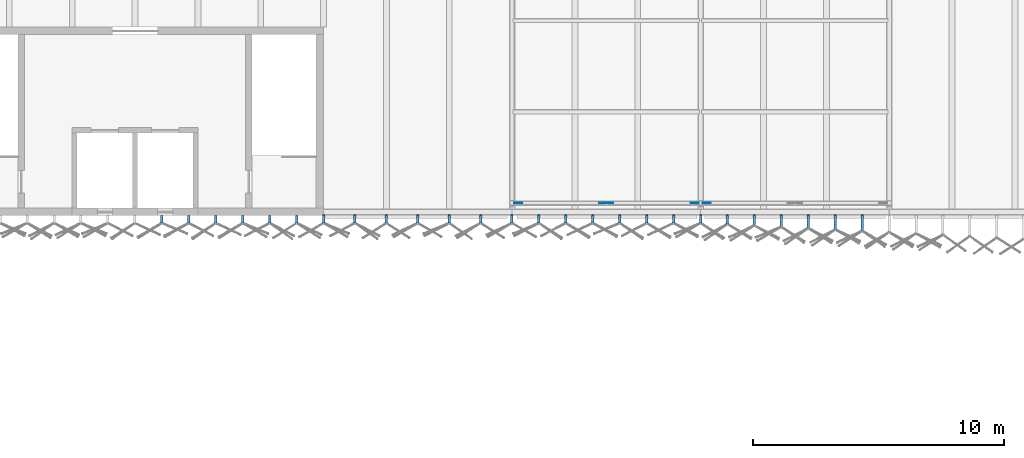
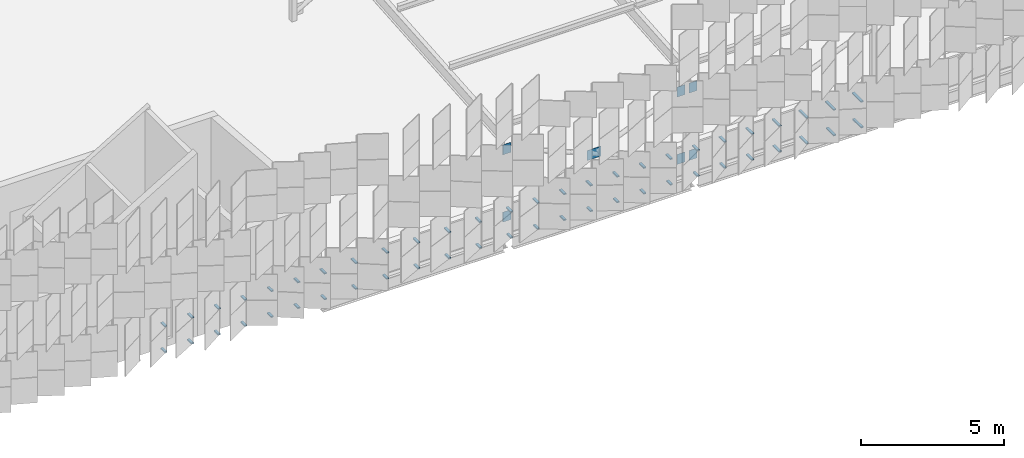
# One storey, part 446 of 483: 59 discrete accessories.
"""IFC4 building model written with IfcOpenShell, lengths in metres."""

from ifc_helpers import new_model, si_unit, direction, frame, origin, origin_2d, place, context, subcontext, project, spatial, polyline, rectangle, outline, extrude, material, layer, layer_set, type_object, element, save


model = new_model("IFC4")

# Units and contexts
model_context = context("Model", 3, precision=1e-05, world=origin(), true_north=direction((0.0, 1.0)))
body_context = subcontext(model_context, "Body", "Model", "MODEL_VIEW")
ifc_project = project(units=[si_unit("LENGTHUNIT", "METRE"), si_unit("AREAUNIT", "SQUARE_METRE"), si_unit("VOLUMEUNIT", "CUBIC_METRE"), si_unit("PLANEANGLEUNIT", "RADIAN"), si_unit("MASSUNIT", "GRAM", prefix="KILO")], contexts=[model_context])

# Site, building, storey
site_placement = place(None, origin())
site = spatial("IfcSite", under=ifc_project, at=site_placement, CompositionType="ELEMENT")
building_placement = place(site_placement, origin())
building = spatial("IfcBuilding", under=site, at=building_placement, Name="Parallax Yard Mobility Hub", CompositionType="ELEMENT")
storey_placement = place(building_placement, frame((0.0, 0.0, 13.199951171875)))
storey = spatial("IfcBuildingStorey", under=building, at=storey_placement, Name="L04", CompositionType="ELEMENT", Elevation=13.199951171875)

# Discrete accessories
ifc_material_1 = material(Name="Steel ASTM A36", Category="steel")
ifc_layer = layer(ifc_material_1, 0.011962890625)
ifc_layer_set = layer_set([ifc_layer], Name="Gusset plate PL12")
discrete_accessory_type_1 = type_object("IfcDiscreteAccessoryType", Name="Gusset plate PL12", PredefinedType="BRACKET", material=ifc_layer_set)
discrete_accessory_1_placement = place(storey_placement, frame((0.0, 0.0, 0.150146484375)))
element("IfcDiscreteAccessory", 1, at=discrete_accessory_1_placement, inside=storey, type_object=discrete_accessory_type_1, Name="Gusset plate PL12 RA bay N-C bay 1 foot on post N-C1", PredefinedType="BRACKET", context=body_context, shape_type="SweptSolid", body=[
    extrude(outline(polyline([(150.08154296875, 112.993896484375), (150.401611328125, 112.993896484375), (150.401611328125, 113.006103515625), (150.08154296875, 113.006103515625), (150.08154296875, 112.993896484375)])), origin(), (0.0, 0.0, 1.0), 0.42236328125),
])
for number, where, name in (
    (2, (0.0, 0.0, 3.017578125), "Gusset plate PL12 RA bay N-C bay 1 head on post N-C2"),
    (3, (0.0, 0.0, 0.150146484375), "Gusset plate PL12 RA bay N-C bay 1 foot on post N-C2"),
):
    element("IfcDiscreteAccessory", number, at=place(storey_placement, frame(where)), inside=storey, type_object=discrete_accessory_type_1, Name=name, PredefinedType="BRACKET", context=body_context, shape_type="SweptSolid", body=[
        extrude(outline(polyline([(157.41845703125, 113.006103515625), (157.098388671875, 113.006103515625), (157.098388671875, 112.993896484375), (157.41845703125, 112.993896484375), (157.41845703125, 113.006103515625)])), origin(), (0.0, 0.0, 1.0), 0.42236328125),
    ])
discrete_accessory_2_placement = place(storey_placement, frame((0.0, 0.0, 3.017578125)))
element("IfcDiscreteAccessory", 4, at=discrete_accessory_2_placement, inside=storey, type_object=discrete_accessory_type_1, Name="Gusset plate PL12 RA bay N-C bay 1 head on post N-C1", PredefinedType="BRACKET", context=body_context, shape_type="SweptSolid", body=[
    extrude(outline(polyline([(150.08154296875, 112.993896484375), (150.401611328125, 112.993896484375), (150.401611328125, 113.006103515625), (150.08154296875, 113.006103515625), (150.08154296875, 112.993896484375)])), origin(), (0.0, 0.0, 1.0), 0.42236328125),
])
discrete_accessory_3_placement = place(storey_placement, frame((0.0, 0.0, 1.5849609375)))
element("IfcDiscreteAccessory", 5, at=discrete_accessory_3_placement, inside=storey, type_object=discrete_accessory_type_1, Name="Gusset plate PL12 RA bay N-C bay 1 crossing node", PredefinedType="BRACKET", context=body_context, shape_type="SweptSolid", body=[
    extrude(outline(polyline([(153.469970703125, 112.993896484375), (154.030029296875, 112.993896484375), (154.030029296875, 113.006103515625), (153.469970703125, 113.006103515625), (153.469970703125, 112.993896484375)])), origin(), (0.0, 0.0, 1.0), 0.420166015625),
])
for number, where, name in (
    (6, (0.0, 0.0, 0.150146484375), "Gusset plate PL12 RA bay N-C bay 2 foot on post N-C2"),
    (7, (0.0, 0.0, 3.017578125), "Gusset plate PL12 RA bay N-C bay 2 head on post N-C2"),
):
    element("IfcDiscreteAccessory", number, at=place(storey_placement, frame(where)), inside=storey, type_object=discrete_accessory_type_1, Name=name, PredefinedType="BRACKET", context=body_context, shape_type="SweptSolid", body=[
        extrude(outline(polyline([(157.58154296875, 112.993896484375), (157.901611328125, 112.993896484375), (157.901611328125, 113.006103515625), (157.58154296875, 113.006103515625), (157.58154296875, 112.993896484375)])), origin(), (0.0, 0.0, 1.0), 0.42236328125),
    ])
ifc_material_2 = material(Name="Steel ASTM A36, hot-dip galvanised", Category="steel")
discrete_accessory_type_2 = type_object("IfcDiscreteAccessoryType", Name="Hinge bracket plate 100x50", PredefinedType="BRACKET", material=ifc_material_2)
for number, where, z_axis, x_axis, name in (
    (8, (136.064697265625, 112.3583984375, -0.02490234375), (0.0, 0.0, 1.0), (0.0, -1.0, 0.0), "Hinge bracket plate bay 13.9 level L04"),
    (9, (136.064697265625, 112.3583984375, 1.06982421875), (0.0, 0.0, 1.0), (0.0, -1.0, 0.0), "Hinge bracket plate bay 13.9 level L04"),
    (10, (137.136962890625, 112.3583984375, -0.02490234375), (0.0, 0.0, 1.0), (0.0, -1.0, 0.0), "Hinge bracket plate bay 13.10 level L04"),
    (11, (137.136962890625, 112.3583984375, 1.06982421875), (0.0, 0.0, 1.0), (0.0, -1.0, 0.0), "Hinge bracket plate bay 13.10 level L04"),
    (12, (138.209228515625, 112.3583984375, -0.02490234375), (0.0, 0.0, 1.0), (0.0, -1.0, 0.0), "Hinge bracket plate bay 13.11 level L04"),
    (13, (138.209228515625, 112.3583984375, 1.06982421875), (0.0, 0.0, 1.0), (0.0, -1.0, 0.0), "Hinge bracket plate bay 13.11 level L04"),
    (14, (139.281494140625, 112.3583984375, -0.02490234375), (0.0, 0.0, 1.0), (0.0, -1.0, 0.0), "Hinge bracket plate bay 13.12 level L04"),
    (15, (139.281494140625, 112.3583984375, 1.06982421875), (0.0, 0.0, 1.0), (0.0, -1.0, 0.0), "Hinge bracket plate bay 13.12 level L04"),
    (16, (140.353515625, 112.3583984375, -0.02490234375), (0.0, 0.0, 1.0), (0.0, -1.0, 0.0), "Hinge bracket plate bay 13.13 level L04"),
    (17, (140.353515625, 112.3583984375, 1.06982421875), (0.0, 0.0, 1.0), (0.0, -1.0, 0.0), "Hinge bracket plate bay 13.13 level L04"),
    (18, (141.42578125, 112.3583984375, -0.02490234375), (0.0, 0.0, 1.0), (0.0, -1.0, 0.0), "Hinge bracket plate bay 13.14 level L04"),
    (19, (141.42578125, 112.3583984375, 1.06982421875), (0.0, 0.0, 1.0), (0.0, -1.0, 0.0), "Hinge bracket plate bay 13.14 level L04"),
    (20, (142.498046875, 112.3583984375, -0.02490234375), (0.0, 0.0, 1.0), (0.0, -1.0, 0.0), "Hinge bracket plate bay 14.1 level L04"),
):
    element("IfcDiscreteAccessory", number, at=place(storey_placement, frame(where, z_axis=z_axis, x_axis=x_axis)), inside=storey, type_object=discrete_accessory_type_2, Name=name, PredefinedType="BRACKET", context=body_context, shape_type="SweptSolid", body=[
        extrude(rectangle(XDim=0.2841796875, YDim=0.10009765625, at=origin_2d()), origin(), (0.0, 0.0, 1.0), 0.050048828125),
    ])
discrete_accessory_4_placement = place(storey_placement, frame((142.498046875, 112.38134765625, 1.06982421875), z_axis=(0.0, 0.0, 1.0), x_axis=(0.0, -1.0, 0.0)))
element("IfcDiscreteAccessory", 21, at=discrete_accessory_4_placement, inside=storey, type_object=discrete_accessory_type_2, Name="Hinge bracket plate bay 14.1 level L04", PredefinedType="BRACKET", context=body_context, shape_type="SweptSolid", body=[
    extrude(rectangle(XDim=0.330078125, YDim=0.10009765625, at=origin_2d()), origin(), (0.0, 0.0, 1.0), 0.050048828125),
])
discrete_accessory_5_placement = place(storey_placement, frame((143.747314453125, 112.3583984375, -0.02490234375), z_axis=(0.0, 0.0, 1.0), x_axis=(0.0, -1.0, 0.0)))
element("IfcDiscreteAccessory", 22, at=discrete_accessory_5_placement, inside=storey, type_object=discrete_accessory_type_2, Name="Hinge bracket plate bay 14.2 level L04", PredefinedType="BRACKET", context=body_context, shape_type="SweptSolid", body=[
    extrude(rectangle(XDim=0.2841796875, YDim=0.10009765625, at=origin_2d()), origin(), (0.0, 0.0, 1.0), 0.050048828125),
])
discrete_accessory_6_placement = place(storey_placement, frame((143.747314453125, 112.38134765625, 1.06982421875), z_axis=(0.0, 0.0, 1.0), x_axis=(0.0, -1.0, 0.0)))
element("IfcDiscreteAccessory", 23, at=discrete_accessory_6_placement, inside=storey, type_object=discrete_accessory_type_2, Name="Hinge bracket plate bay 14.2 level L04", PredefinedType="BRACKET", context=body_context, shape_type="SweptSolid", body=[
    extrude(rectangle(XDim=0.330078125, YDim=0.10009765625, at=origin_2d()), origin(), (0.0, 0.0, 1.0), 0.050048828125),
])
discrete_accessory_7_placement = place(storey_placement, frame((144.99658203125, 112.3583984375, -0.02490234375), z_axis=(0.0, 0.0, 1.0), x_axis=(0.0, -1.0, 0.0)))
element("IfcDiscreteAccessory", 24, at=discrete_accessory_7_placement, inside=storey, type_object=discrete_accessory_type_2, Name="Hinge bracket plate bay 14.3 level L04", PredefinedType="BRACKET", context=body_context, shape_type="SweptSolid", body=[
    extrude(rectangle(XDim=0.2841796875, YDim=0.10009765625, at=origin_2d()), origin(), (0.0, 0.0, 1.0), 0.050048828125),
])
discrete_accessory_8_placement = place(storey_placement, frame((144.99658203125, 112.38134765625, 1.06982421875), z_axis=(0.0, 0.0, 1.0), x_axis=(0.0, -1.0, 0.0)))
element("IfcDiscreteAccessory", 25, at=discrete_accessory_8_placement, inside=storey, type_object=discrete_accessory_type_2, Name="Hinge bracket plate bay 14.3 level L04", PredefinedType="BRACKET", context=body_context, shape_type="SweptSolid", body=[
    extrude(rectangle(XDim=0.330078125, YDim=0.10009765625, at=origin_2d()), origin(), (0.0, 0.0, 1.0), 0.050048828125),
])
discrete_accessory_9_placement = place(storey_placement, frame((146.245849609375, 112.3583984375, -0.02490234375), z_axis=(0.0, 0.0, 1.0), x_axis=(0.0, -1.0, 0.0)))
element("IfcDiscreteAccessory", 26, at=discrete_accessory_9_placement, inside=storey, type_object=discrete_accessory_type_2, Name="Hinge bracket plate bay 14.4 level L04", PredefinedType="BRACKET", context=body_context, shape_type="SweptSolid", body=[
    extrude(rectangle(XDim=0.2841796875, YDim=0.10009765625, at=origin_2d()), origin(), (0.0, 0.0, 1.0), 0.050048828125),
])
discrete_accessory_10_placement = place(storey_placement, frame((146.245849609375, 112.38134765625, 1.06982421875), z_axis=(0.0, 0.0, 1.0), x_axis=(0.0, -1.0, 0.0)))
element("IfcDiscreteAccessory", 27, at=discrete_accessory_10_placement, inside=storey, type_object=discrete_accessory_type_2, Name="Hinge bracket plate bay 14.4 level L04", PredefinedType="BRACKET", context=body_context, shape_type="SweptSolid", body=[
    extrude(rectangle(XDim=0.330078125, YDim=0.10009765625, at=origin_2d()), origin(), (0.0, 0.0, 1.0), 0.050048828125),
])
discrete_accessory_11_placement = place(storey_placement, frame((147.4951171875, 112.3583984375, -0.02490234375), z_axis=(0.0, 0.0, 1.0), x_axis=(0.0, -1.0, 0.0)))
element("IfcDiscreteAccessory", 28, at=discrete_accessory_11_placement, inside=storey, type_object=discrete_accessory_type_2, Name="Hinge bracket plate bay 14.5 level L04", PredefinedType="BRACKET", context=body_context, shape_type="SweptSolid", body=[
    extrude(rectangle(XDim=0.2841796875, YDim=0.10009765625, at=origin_2d()), origin(), (0.0, 0.0, 1.0), 0.050048828125),
])
discrete_accessory_12_placement = place(storey_placement, frame((147.4951171875, 112.38134765625, 1.06982421875), z_axis=(0.0, 0.0, 1.0), x_axis=(0.0, -1.0, 0.0)))
element("IfcDiscreteAccessory", 29, at=discrete_accessory_12_placement, inside=storey, type_object=discrete_accessory_type_2, Name="Hinge bracket plate bay 14.5 level L04", PredefinedType="BRACKET", context=body_context, shape_type="SweptSolid", body=[
    extrude(rectangle(XDim=0.330078125, YDim=0.10009765625, at=origin_2d()), origin(), (0.0, 0.0, 1.0), 0.050048828125),
])
discrete_accessory_13_placement = place(storey_placement, frame((148.744384765625, 112.3583984375, -0.02490234375), z_axis=(0.0, 0.0, 1.0), x_axis=(0.0, -1.0, 0.0)))
element("IfcDiscreteAccessory", 30, at=discrete_accessory_13_placement, inside=storey, type_object=discrete_accessory_type_2, Name="Hinge bracket plate bay 14.6 level L04", PredefinedType="BRACKET", context=body_context, shape_type="SweptSolid", body=[
    extrude(rectangle(XDim=0.2841796875, YDim=0.10009765625, at=origin_2d()), origin(), (0.0, 0.0, 1.0), 0.050048828125),
])
discrete_accessory_14_placement = place(storey_placement, frame((148.744384765625, 112.38134765625, 1.06982421875), z_axis=(0.0, 0.0, 1.0), x_axis=(0.0, -1.0, 0.0)))
element("IfcDiscreteAccessory", 31, at=discrete_accessory_14_placement, inside=storey, type_object=discrete_accessory_type_2, Name="Hinge bracket plate bay 14.6 level L04", PredefinedType="BRACKET", context=body_context, shape_type="SweptSolid", body=[
    extrude(rectangle(XDim=0.330078125, YDim=0.10009765625, at=origin_2d()), origin(), (0.0, 0.0, 1.0), 0.050048828125),
])
discrete_accessory_15_placement = place(storey_placement, frame((149.993408203125, 112.3583984375, -0.02490234375), z_axis=(0.0, 0.0, 1.0), x_axis=(0.0, -1.0, 0.0)))
element("IfcDiscreteAccessory", 32, at=discrete_accessory_15_placement, inside=storey, type_object=discrete_accessory_type_2, Name="Hinge bracket plate bay 15.1 level L04", PredefinedType="BRACKET", context=body_context, shape_type="SweptSolid", body=[
    extrude(rectangle(XDim=0.2841796875, YDim=0.10009765625, at=origin_2d()), origin(), (0.0, 0.0, 1.0), 0.050048828125),
])
discrete_accessory_16_placement = place(storey_placement, frame((149.993408203125, 112.38134765625, 1.06982421875), z_axis=(0.0, 0.0, 1.0), x_axis=(0.0, -1.0, 0.0)))
element("IfcDiscreteAccessory", 33, at=discrete_accessory_16_placement, inside=storey, type_object=discrete_accessory_type_2, Name="Hinge bracket plate bay 15.1 level L04", PredefinedType="BRACKET", context=body_context, shape_type="SweptSolid", body=[
    extrude(rectangle(XDim=0.330078125, YDim=0.10009765625, at=origin_2d()), origin(), (0.0, 0.0, 1.0), 0.050048828125),
])
discrete_accessory_17_placement = place(storey_placement, frame((151.06494140625, 112.3583984375, -0.02490234375), z_axis=(0.0, 0.0, 1.0), x_axis=(0.0, -1.0, 0.0)))
element("IfcDiscreteAccessory", 34, at=discrete_accessory_17_placement, inside=storey, type_object=discrete_accessory_type_2, Name="Hinge bracket plate bay 15.2 level L04", PredefinedType="BRACKET", context=body_context, shape_type="SweptSolid", body=[
    extrude(rectangle(XDim=0.2841796875, YDim=0.10009765625, at=origin_2d()), origin(), (0.0, 0.0, 1.0), 0.050048828125),
])
discrete_accessory_18_placement = place(storey_placement, frame((151.06494140625, 112.38134765625, 1.06982421875), z_axis=(0.0, 0.0, 1.0), x_axis=(0.0, -1.0, 0.0)))
element("IfcDiscreteAccessory", 35, at=discrete_accessory_18_placement, inside=storey, type_object=discrete_accessory_type_2, Name="Hinge bracket plate bay 15.2 level L04", PredefinedType="BRACKET", context=body_context, shape_type="SweptSolid", body=[
    extrude(rectangle(XDim=0.330078125, YDim=0.10009765625, at=origin_2d()), origin(), (0.0, 0.0, 1.0), 0.050048828125),
])
discrete_accessory_19_placement = place(storey_placement, frame((152.136474609375, 112.3583984375, -0.02490234375), z_axis=(0.0, 0.0, 1.0), x_axis=(0.0, -1.0, 0.0)))
element("IfcDiscreteAccessory", 36, at=discrete_accessory_19_placement, inside=storey, type_object=discrete_accessory_type_2, Name="Hinge bracket plate bay 15.3 level L04", PredefinedType="BRACKET", context=body_context, shape_type="SweptSolid", body=[
    extrude(rectangle(XDim=0.2841796875, YDim=0.10009765625, at=origin_2d()), origin(), (0.0, 0.0, 1.0), 0.050048828125),
])
discrete_accessory_20_placement = place(storey_placement, frame((152.136474609375, 112.38134765625, 1.06982421875), z_axis=(0.0, 0.0, 1.0), x_axis=(0.0, -1.0, 0.0)))
element("IfcDiscreteAccessory", 37, at=discrete_accessory_20_placement, inside=storey, type_object=discrete_accessory_type_2, Name="Hinge bracket plate bay 15.3 level L04", PredefinedType="BRACKET", context=body_context, shape_type="SweptSolid", body=[
    extrude(rectangle(XDim=0.330078125, YDim=0.10009765625, at=origin_2d()), origin(), (0.0, 0.0, 1.0), 0.050048828125),
])
discrete_accessory_21_placement = place(storey_placement, frame((153.2080078125, 112.3583984375, -0.02490234375), z_axis=(0.0, 0.0, 1.0), x_axis=(0.0, -1.0, 0.0)))
element("IfcDiscreteAccessory", 38, at=discrete_accessory_21_placement, inside=storey, type_object=discrete_accessory_type_2, Name="Hinge bracket plate bay 15.4 level L04", PredefinedType="BRACKET", context=body_context, shape_type="SweptSolid", body=[
    extrude(rectangle(XDim=0.2841796875, YDim=0.10009765625, at=origin_2d()), origin(), (0.0, 0.0, 1.0), 0.050048828125),
])
discrete_accessory_22_placement = place(storey_placement, frame((153.2080078125, 112.38134765625, 1.06982421875), z_axis=(0.0, 0.0, 1.0), x_axis=(0.0, -1.0, 0.0)))
element("IfcDiscreteAccessory", 39, at=discrete_accessory_22_placement, inside=storey, type_object=discrete_accessory_type_2, Name="Hinge bracket plate bay 15.4 level L04", PredefinedType="BRACKET", context=body_context, shape_type="SweptSolid", body=[
    extrude(rectangle(XDim=0.330078125, YDim=0.10009765625, at=origin_2d()), origin(), (0.0, 0.0, 1.0), 0.050048828125),
])
discrete_accessory_23_placement = place(storey_placement, frame((154.279541015625, 112.3583984375, -0.02490234375), z_axis=(0.0, 0.0, 1.0), x_axis=(0.0, -1.0, 0.0)))
element("IfcDiscreteAccessory", 40, at=discrete_accessory_23_placement, inside=storey, type_object=discrete_accessory_type_2, Name="Hinge bracket plate bay 15.5 level L04", PredefinedType="BRACKET", context=body_context, shape_type="SweptSolid", body=[
    extrude(rectangle(XDim=0.2841796875, YDim=0.10009765625, at=origin_2d()), origin(), (0.0, 0.0, 1.0), 0.050048828125),
])
discrete_accessory_24_placement = place(storey_placement, frame((154.279541015625, 112.38134765625, 1.06982421875), z_axis=(0.0, 0.0, 1.0), x_axis=(0.0, -1.0, 0.0)))
element("IfcDiscreteAccessory", 41, at=discrete_accessory_24_placement, inside=storey, type_object=discrete_accessory_type_2, Name="Hinge bracket plate bay 15.5 level L04", PredefinedType="BRACKET", context=body_context, shape_type="SweptSolid", body=[
    extrude(rectangle(XDim=0.330078125, YDim=0.10009765625, at=origin_2d()), origin(), (0.0, 0.0, 1.0), 0.050048828125),
])
discrete_accessory_25_placement = place(storey_placement, frame((155.35107421875, 112.3583984375, -0.02490234375), z_axis=(0.0, 0.0, 1.0), x_axis=(0.0, -1.0, 0.0)))
element("IfcDiscreteAccessory", 42, at=discrete_accessory_25_placement, inside=storey, type_object=discrete_accessory_type_2, Name="Hinge bracket plate bay 15.6 level L04", PredefinedType="BRACKET", context=body_context, shape_type="SweptSolid", body=[
    extrude(rectangle(XDim=0.2841796875, YDim=0.10009765625, at=origin_2d()), origin(), (0.0, 0.0, 1.0), 0.050048828125),
])
discrete_accessory_26_placement = place(storey_placement, frame((155.35107421875, 112.38134765625, 1.06982421875), z_axis=(0.0, 0.0, 1.0), x_axis=(0.0, -1.0, 0.0)))
element("IfcDiscreteAccessory", 43, at=discrete_accessory_26_placement, inside=storey, type_object=discrete_accessory_type_2, Name="Hinge bracket plate bay 15.6 level L04", PredefinedType="BRACKET", context=body_context, shape_type="SweptSolid", body=[
    extrude(rectangle(XDim=0.330078125, YDim=0.10009765625, at=origin_2d()), origin(), (0.0, 0.0, 1.0), 0.050048828125),
])
discrete_accessory_27_placement = place(storey_placement, frame((156.422607421875, 112.3583984375, -0.02490234375), z_axis=(0.0, 0.0, 1.0), x_axis=(0.0, -1.0, 0.0)))
element("IfcDiscreteAccessory", 44, at=discrete_accessory_27_placement, inside=storey, type_object=discrete_accessory_type_2, Name="Hinge bracket plate bay 15.7 level L04", PredefinedType="BRACKET", context=body_context, shape_type="SweptSolid", body=[
    extrude(rectangle(XDim=0.2841796875, YDim=0.10009765625, at=origin_2d()), origin(), (0.0, 0.0, 1.0), 0.050048828125),
])
discrete_accessory_28_placement = place(storey_placement, frame((156.422607421875, 112.38134765625, 1.06982421875), z_axis=(0.0, 0.0, 1.0), x_axis=(0.0, -1.0, 0.0)))
element("IfcDiscreteAccessory", 45, at=discrete_accessory_28_placement, inside=storey, type_object=discrete_accessory_type_2, Name="Hinge bracket plate bay 15.7 level L04", PredefinedType="BRACKET", context=body_context, shape_type="SweptSolid", body=[
    extrude(rectangle(XDim=0.330078125, YDim=0.10009765625, at=origin_2d()), origin(), (0.0, 0.0, 1.0), 0.050048828125),
])
discrete_accessory_29_placement = place(storey_placement, frame((157.494140625, 112.3583984375, -0.02490234375), z_axis=(0.0, 0.0, 1.0), x_axis=(0.0, -1.0, 0.0)))
element("IfcDiscreteAccessory", 46, at=discrete_accessory_29_placement, inside=storey, type_object=discrete_accessory_type_2, Name="Hinge bracket plate bay 16.1 level L04", PredefinedType="BRACKET", context=body_context, shape_type="SweptSolid", body=[
    extrude(rectangle(XDim=0.2841796875, YDim=0.10009765625, at=origin_2d()), origin(), (0.0, 0.0, 1.0), 0.050048828125),
])
discrete_accessory_30_placement = place(storey_placement, frame((157.494140625, 112.38134765625, 1.06982421875), z_axis=(0.0, 0.0, 1.0), x_axis=(0.0, -1.0, 0.0)))
element("IfcDiscreteAccessory", 47, at=discrete_accessory_30_placement, inside=storey, type_object=discrete_accessory_type_2, Name="Hinge bracket plate bay 16.1 level L04", PredefinedType="BRACKET", context=body_context, shape_type="SweptSolid", body=[
    extrude(rectangle(XDim=0.330078125, YDim=0.10009765625, at=origin_2d()), origin(), (0.0, 0.0, 1.0), 0.050048828125),
])
discrete_accessory_31_placement = place(storey_placement, frame((158.565673828125, 112.337890625, -0.02490234375), z_axis=(0.0, 0.0, 1.0), x_axis=(0.0, -1.0, 0.0)))
element("IfcDiscreteAccessory", 48, at=discrete_accessory_31_placement, inside=storey, type_object=discrete_accessory_type_2, Name="Hinge bracket plate bay 16.2 level L04", PredefinedType="BRACKET", context=body_context, shape_type="SweptSolid", body=[
    extrude(rectangle(XDim=0.3251953125, YDim=0.10009765625, at=origin_2d()), origin(), (0.0, 0.0, 1.0), 0.050048828125),
])
discrete_accessory_32_placement = place(storey_placement, frame((158.565673828125, 112.36083984375, 1.06982421875), z_axis=(0.0, 0.0, 1.0), x_axis=(0.0, -1.0, 0.0)))
element("IfcDiscreteAccessory", 49, at=discrete_accessory_32_placement, inside=storey, type_object=discrete_accessory_type_2, Name="Hinge bracket plate bay 16.2 level L04", PredefinedType="BRACKET", context=body_context, shape_type="SweptSolid", body=[
    extrude(rectangle(XDim=0.37109375, YDim=0.10009765625, at=origin_2d()), origin(), (0.0, 0.0, 1.0), 0.050048828125),
])
discrete_accessory_33_placement = place(storey_placement, frame((159.63720703125, 112.31103515625, -0.02490234375), z_axis=(0.0, 0.0, 1.0), x_axis=(0.0, -1.0, 0.0)))
element("IfcDiscreteAccessory", 50, at=discrete_accessory_33_placement, inside=storey, type_object=discrete_accessory_type_2, Name="Hinge bracket plate bay 16.3 level L04", PredefinedType="BRACKET", context=body_context, shape_type="SweptSolid", body=[
    extrude(rectangle(XDim=0.37890625, YDim=0.10009765625, at=origin_2d()), origin(), (0.0, 0.0, 1.0), 0.050048828125),
])
discrete_accessory_34_placement = place(storey_placement, frame((159.63720703125, 112.333984375, 1.06982421875), z_axis=(0.0, 0.0, 1.0), x_axis=(0.0, -1.0, 0.0)))
element("IfcDiscreteAccessory", 51, at=discrete_accessory_34_placement, inside=storey, type_object=discrete_accessory_type_2, Name="Hinge bracket plate bay 16.3 level L04", PredefinedType="BRACKET", context=body_context, shape_type="SweptSolid", body=[
    extrude(rectangle(XDim=0.4248046875, YDim=0.10009765625, at=origin_2d()), origin(), (0.0, 0.0, 1.0), 0.050048828125),
])
discrete_accessory_35_placement = place(storey_placement, frame((160.70849609375, 112.2841796875, -0.02490234375), z_axis=(0.0, 0.0, 1.0), x_axis=(0.0, -1.0, 0.0)))
element("IfcDiscreteAccessory", 52, at=discrete_accessory_35_placement, inside=storey, type_object=discrete_accessory_type_2, Name="Hinge bracket plate bay 16.4 level L04", PredefinedType="BRACKET", context=body_context, shape_type="SweptSolid", body=[
    extrude(rectangle(XDim=0.432373046875, YDim=0.10009765625, at=origin_2d()), origin(), (0.0, 0.0, 1.0), 0.050048828125),
])
discrete_accessory_36_placement = place(storey_placement, frame((160.70849609375, 112.307373046875, 1.06982421875), z_axis=(0.0, 0.0, 1.0), x_axis=(0.0, -1.0, 0.0)))
element("IfcDiscreteAccessory", 53, at=discrete_accessory_36_placement, inside=storey, type_object=discrete_accessory_type_2, Name="Hinge bracket plate bay 16.4 level L04", PredefinedType="BRACKET", context=body_context, shape_type="SweptSolid", body=[
    extrude(rectangle(XDim=0.478515625, YDim=0.10009765625, at=origin_2d()), origin(), (0.0, 0.0, 1.0), 0.050048828125),
])
discrete_accessory_37_placement = place(storey_placement, frame((161.780029296875, 112.257568359375, -0.02490234375), z_axis=(0.0, 0.0, 1.0), x_axis=(0.0, -1.0, 0.0)))
element("IfcDiscreteAccessory", 54, at=discrete_accessory_37_placement, inside=storey, type_object=discrete_accessory_type_2, Name="Hinge bracket plate bay 16.5 level L04", PredefinedType="BRACKET", context=body_context, shape_type="SweptSolid", body=[
    extrude(rectangle(XDim=0.48583984375, YDim=0.10009765625, at=origin_2d()), origin(), (0.0, 0.0, 1.0), 0.050048828125),
])
discrete_accessory_38_placement = place(storey_placement, frame((161.780029296875, 112.280517578125, 1.06982421875), z_axis=(0.0, 0.0, 1.0), x_axis=(0.0, -1.0, 0.0)))
element("IfcDiscreteAccessory", 55, at=discrete_accessory_38_placement, inside=storey, type_object=discrete_accessory_type_2, Name="Hinge bracket plate bay 16.5 level L04", PredefinedType="BRACKET", context=body_context, shape_type="SweptSolid", body=[
    extrude(rectangle(XDim=0.531982421875, YDim=0.10009765625, at=origin_2d()), origin(), (0.0, 0.0, 1.0), 0.050048828125),
])
discrete_accessory_39_placement = place(storey_placement, frame((162.8515625, 112.230712890625, -0.02490234375), z_axis=(0.0, 0.0, 1.0), x_axis=(0.0, -1.0, 0.0)))
element("IfcDiscreteAccessory", 56, at=discrete_accessory_39_placement, inside=storey, type_object=discrete_accessory_type_2, Name="Hinge bracket plate bay 16.6 level L04", PredefinedType="BRACKET", context=body_context, shape_type="SweptSolid", body=[
    extrude(rectangle(XDim=0.53955078125, YDim=0.10009765625, at=origin_2d()), origin(), (0.0, 0.0, 1.0), 0.050048828125),
])
discrete_accessory_40_placement = place(storey_placement, frame((162.8515625, 112.253662109375, 1.06982421875), z_axis=(0.0, 0.0, 1.0), x_axis=(0.0, -1.0, 0.0)))
element("IfcDiscreteAccessory", 57, at=discrete_accessory_40_placement, inside=storey, type_object=discrete_accessory_type_2, Name="Hinge bracket plate bay 16.6 level L04", PredefinedType="BRACKET", context=body_context, shape_type="SweptSolid", body=[
    extrude(rectangle(XDim=0.58544921875, YDim=0.10009765625, at=origin_2d()), origin(), (0.0, 0.0, 1.0), 0.050048828125),
])
discrete_accessory_41_placement = place(storey_placement, frame((163.923095703125, 112.2041015625, -0.02490234375), z_axis=(0.0, 0.0, 1.0), x_axis=(0.0, -1.0, 0.0)))
element("IfcDiscreteAccessory", 58, at=discrete_accessory_41_placement, inside=storey, type_object=discrete_accessory_type_2, Name="Hinge bracket plate bay 16.7 level L04", PredefinedType="BRACKET", context=body_context, shape_type="SweptSolid", body=[
    extrude(rectangle(XDim=0.593017578125, YDim=0.10009765625, at=origin_2d()), origin(), (0.0, 0.0, 1.0), 0.050048828125),
])
discrete_accessory_42_placement = place(storey_placement, frame((163.923095703125, 112.22705078125, 1.06982421875), z_axis=(0.0, 0.0, 1.0), x_axis=(0.0, -1.0, 0.0)))
element("IfcDiscreteAccessory", 59, at=discrete_accessory_42_placement, inside=storey, type_object=discrete_accessory_type_2, Name="Hinge bracket plate bay 16.7 level L04", PredefinedType="BRACKET", context=body_context, shape_type="SweptSolid", body=[
    extrude(rectangle(XDim=0.63916015625, YDim=0.10009765625, at=origin_2d()), origin(), (0.0, 0.0, 1.0), 0.050048828125),
])

save(model, "model.ifc")
